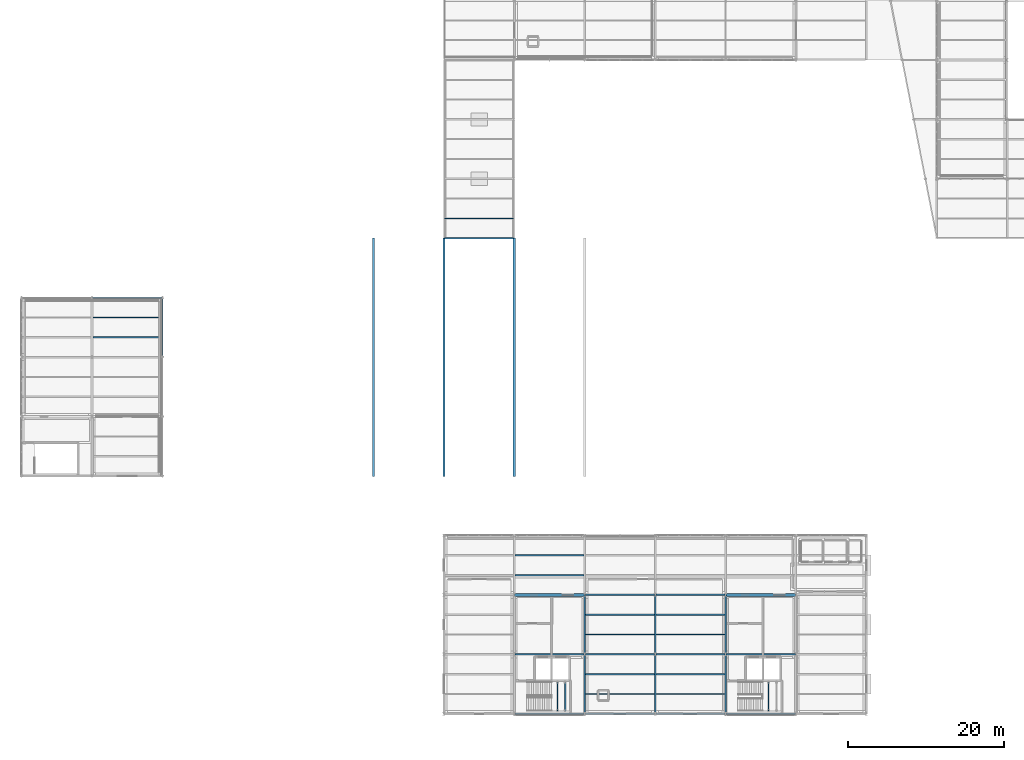
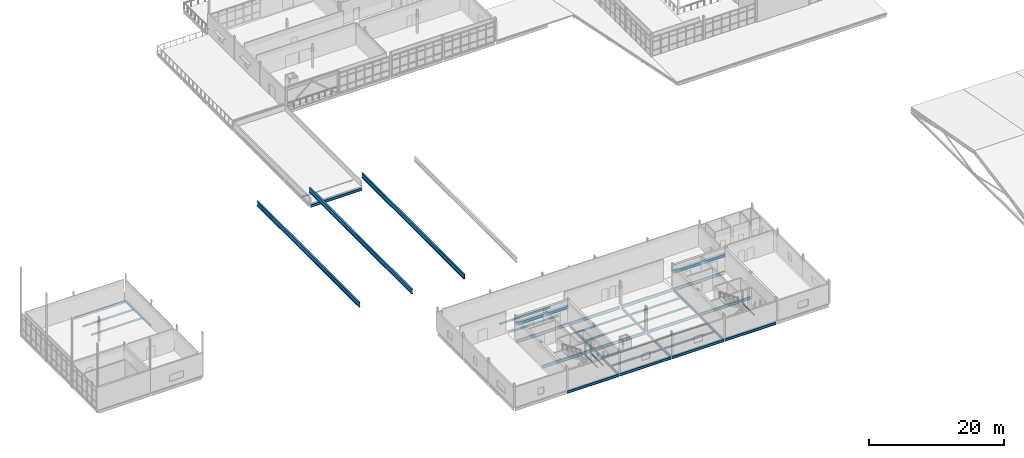
# One storey, part 23 of 96: 42 beams.
"""IFC4 building model written with IfcOpenShell, lengths in metres."""

import ifcopenshell
import ifcopenshell.guid

model = None  # the IFC model being written
_history = None  # IfcOwnerHistory: only IFC2X3 demands one
_inside = {}  # id of a spatial element -> (the spatial element, [elements in it])
_under = {}  # id of a project, library or spatial element -> (it, [spatial elements below it])
_declared = {}  # id of a project -> (the project, [libraries it declares])
_typed = {}  # id of a type object -> (the type object, [elements of that type])
_made_of = {}  # id of a material, layer set ... -> (it, [elements and type objects made of it])


def new_model(schema):
    """Start an empty IFC model of exactly this schema.

    Asked for "IFC4X3", IfcOpenShell would pick the latest addendum, in which some entities
    have other attributes; the version numbers below select the first issue.
    IFC2X3 requires an IfcOwnerHistory on every rooted entity: one is made here for all.
    """
    global model, _history
    if schema == "IFC4X3":
        model = ifcopenshell.file(schema_version=(4, 3, 0, 0))
    else:
        model = ifcopenshell.file(schema=schema)
    _inside.clear()
    _under.clear()
    _declared.clear()
    _typed.clear()
    _made_of.clear()
    _history = None
    if model.schema == "IFC2X3":
        org = make("IfcOrganization", Name="unknown")
        user = make(
            "IfcPersonAndOrganization",
            ThePerson=make("IfcPerson", FamilyName="unknown"),
            TheOrganization=org,
        )
        app = make(
            "IfcApplication",
            ApplicationDeveloper=org,
            Version="unknown",
            ApplicationFullName="unknown",
            ApplicationIdentifier="unknown",
        )
        _history = make(
            "IfcOwnerHistory",
            OwningUser=user,
            OwningApplication=app,
            ChangeAction="ADDED",
            CreationDate=0,
        )
    return model


def make(cls, **values):
    """One entity of the class cls with the attributes given. An attribute that is None is left unset."""
    return model.create_entity(
        cls, **{name: value for name, value in values.items() if value is not None}
    )


def rooted(cls, **values):
    """An entity with a GlobalId (a new one), such as an element, a storey or a relation."""
    return make(cls, GlobalId=ifcopenshell.guid.new(), OwnerHistory=_history, **values)


def si_unit(unit_type, name, prefix=None):
    """IfcSIUnit, for example si_unit("LENGTHUNIT", "METRE", prefix="MILLI")."""
    return make("IfcSIUnit", UnitType=unit_type, Prefix=prefix, Name=name)


def assignment(units):
    """IfcUnitAssignment: the units of a project."""
    return None if units is None else make("IfcUnitAssignment", Units=units)


def point(xyz):
    """IfcCartesianPoint."""
    return None if xyz is None else make("IfcCartesianPoint", Coordinates=xyz)


def direction(xyz):
    """IfcDirection."""
    return None if xyz is None else make("IfcDirection", DirectionRatios=xyz)


def frame(location, z_axis=None, x_axis=None):
    """IfcAxis2Placement3D, a coordinate frame: its origin and axes. An axis left out is left unset."""
    return make(
        "IfcAxis2Placement3D",
        Location=point(location),
        Axis=direction(z_axis),
        RefDirection=direction(x_axis),
    )


def frame_2d(location, x_axis=None):
    """IfcAxis2Placement2D, a coordinate frame in the plane: its origin and x axis."""
    return make(
        "IfcAxis2Placement2D", Location=point(location), RefDirection=direction(x_axis)
    )


def origin():
    """The frame at (0, 0, 0) with its axes left unset."""
    return frame((0.0, 0.0, 0.0))


def origin_2d():
    """The frame at (0, 0) in the plane with its x axis left unset."""
    return frame_2d((0.0, 0.0))


def place(relative_to, where):
    """IfcLocalPlacement: puts the frame where relative to a parent placement (None: the world)."""
    return make(
        "IfcLocalPlacement", PlacementRelTo=relative_to, RelativePlacement=where
    )


def context(
    kind, dimensions, precision=None, world=None, true_north=None, identifier=None
):
    """IfcGeometricRepresentationContext, for example the 3D "Model" context."""
    return make(
        "IfcGeometricRepresentationContext",
        ContextIdentifier=identifier,
        ContextType=kind,
        CoordinateSpaceDimension=dimensions,
        Precision=precision,
        WorldCoordinateSystem=world,
        TrueNorth=true_north,
    )


def subcontext(parent, identifier, kind, view, scale=None):
    """IfcGeometricRepresentationSubContext, for example "Body" below "Model"."""
    return make(
        "IfcGeometricRepresentationSubContext",
        ContextIdentifier=identifier,
        ContextType=kind,
        ParentContext=parent,
        TargetScale=scale,
        TargetView=view,
    )


def project(units=None, contexts=None):
    """IfcProject with its units and contexts."""
    return rooted(
        "IfcProject",
        Name="project",
        RepresentationContexts=contexts,
        UnitsInContext=assignment(units),
    )


def spatial(cls, under=None, at=None, **own):
    """A site, building, storey or space (cls), placed at a placement, below another one or the project."""
    s = rooted(cls, ObjectPlacement=at, **own)
    if under is not None:
        _under.setdefault(under.id(), (under, []))[1].append(s)
    return s


def profile(cls, at=None, kind="AREA", **sizes):
    """A parametric profile (cls). Its sizes go by their IFC names, for example OverallWidth=200.0."""
    return make(cls, ProfileType=kind, Position=at, **sizes)


def rectangle(**sizes):
    """IfcRectangleProfileDef."""
    return profile("IfcRectangleProfileDef", **sizes)


def hollow_rectangle(**sizes):
    """IfcRectangleHollowProfileDef."""
    return profile("IfcRectangleHollowProfileDef", **sizes)


def i_section(**sizes):
    """IfcIShapeProfileDef."""
    return profile("IfcIShapeProfileDef", **sizes)


def extrude(swept, where, along, depth):
    """IfcExtrudedAreaSolid: the profile swept, set in the frame where, extruded along a direction by depth."""
    return make(
        "IfcExtrudedAreaSolid",
        SweptArea=swept,
        Position=where,
        ExtrudedDirection=direction(along),
        Depth=depth,
    )


def shape(context_of_items, identifier, shape_type, items):
    """IfcShapeRepresentation: the items that make up one representation, for example the "Body"."""
    return make(
        "IfcShapeRepresentation",
        ContextOfItems=context_of_items,
        RepresentationIdentifier=identifier,
        RepresentationType=shape_type,
        Items=items,
    )


def material(Name=None, Category=None):
    """IfcMaterial."""
    return make("IfcMaterial", Name=Name, Category=Category)


def material_profile(
    of_material, cross_section, Name=None, Category=None, Priority=None
):
    """IfcMaterialProfile: a cross section and its material."""
    return make(
        "IfcMaterialProfile",
        Name=Name,
        Material=of_material,
        Profile=cross_section,
        Priority=Priority,
        Category=Category,
    )


def profile_set(profiles, Name=None, composite=None):
    """IfcMaterialProfileSet."""
    return make(
        "IfcMaterialProfileSet",
        Name=Name,
        MaterialProfiles=profiles,
        CompositeProfile=composite,
    )


def made_of(thing, what):
    """Note that an element or type object is made of a material, layer set ...; save() writes the relation."""
    if what is not None:
        _made_of.setdefault(what.id(), (what, []))[1].append(thing)
    return thing


def type_object(cls, material=None, **own):
    """A type object (cls), such as IfcWallType, which elements share."""
    return made_of(rooted(cls, **own), material)


def element(
    cls,
    number,
    at=None,
    inside=None,
    cuts=None,
    type_object=None,
    material=None,
    context=None,
    identifier="Body",
    shape_type=None,
    held_by="IfcProductDefinitionShape",
    body=None,
    shapes=None,
    **own,
):
    """One element of the class cls, such as IfcWall. Its Tag is "e" and its number.

    at: its placement. inside: the storey or other place that contains it. cuts: it is an
    opening in that element (IfcRelVoidsElement). A single representation is given by context,
    identifier, shape_type and body (its items); several are given by shapes. held_by: the class
    of the entity that holds the representations. save() writes the other relations.
    """
    e = rooted(cls, Tag="e%d" % number, ObjectPlacement=at, **own)
    if body is not None:
        shapes = [shape(context, identifier, shape_type, body)]
    if shapes is not None:
        e.Representation = make(held_by, Representations=shapes)
    if inside is not None:
        _inside.setdefault(inside.id(), (inside, []))[1].append(e)
    if cuts is not None:
        rooted(
            "IfcRelVoidsElement", RelatingBuildingElement=cuts, RelatedOpeningElement=e
        )
    if type_object is not None:
        _typed.setdefault(type_object.id(), (type_object, []))[1].append(e)
    return made_of(e, material)


def aggregate(whole, parts):
    """IfcRelAggregates: a whole, such as a stair, and the parts it consists of."""
    return rooted("IfcRelAggregates", RelatingObject=whole, RelatedObjects=parts)


def save(model, path):
    """Write the relations noted so far, then the file.

    IfcRelAggregates (storeys below a building ...), IfcRelContainedInSpatialStructure (elements
    in a storey), IfcRelDefinesByType, IfcRelAssociatesMaterial and IfcRelDeclares: one each for
    every whole, place, type object, material and project.
    """
    for whole, parts in _under.values():
        aggregate(whole, parts)
    for where, things in _inside.values():
        rooted(
            "IfcRelContainedInSpatialStructure",
            RelatedElements=things,
            RelatingStructure=where,
        )
    for kind, things in _typed.values():
        rooted("IfcRelDefinesByType", RelatedObjects=things, RelatingType=kind)
    for what, things in _made_of.values():
        rooted("IfcRelAssociatesMaterial", RelatedObjects=things, RelatingMaterial=what)
    for by, libraries in _declared.values():
        rooted("IfcRelDeclares", RelatingContext=by, RelatedDefinitions=libraries)
    model.write(path)


model = new_model("IFC4")

# Units and contexts
model_context = context("Model", 3, precision=1e-05, world=origin(), true_north=direction((0.0, 1.0)))
body_context = subcontext(model_context, "Body", "Model", "MODEL_VIEW")
ifc_project = project(units=[si_unit("LENGTHUNIT", "METRE"), si_unit("AREAUNIT", "SQUARE_METRE"), si_unit("VOLUMEUNIT", "CUBIC_METRE"), si_unit("PLANEANGLEUNIT", "RADIAN"), si_unit("MASSUNIT", "GRAM", prefix="KILO")], contexts=[model_context])

# Site, building, storey
site_placement = place(None, origin())
site = spatial("IfcSite", under=ifc_project, at=site_placement, CompositionType="ELEMENT")
building_placement = place(site_placement, origin())
building = spatial("IfcBuilding", under=site, at=building_placement, Name="Caisbarro Railhouse Central Library", CompositionType="ELEMENT")
storey_placement = place(building_placement, frame((0.0, 0.0, 13.679931640625)))
storey = spatial("IfcBuildingStorey", under=building, at=storey_placement, Name="L03", CompositionType="ELEMENT", Elevation=13.679931640625)

# Beams
ifc_material_1 = material(Name="Steel ASTM A572 Grade 50", Category="steel")
ifc_material_profile_1 = material_profile(ifc_material_1, i_section(OverallWidth=0.2939453125, OverallDepth=0.85107421875, WebThickness=0.01611328125, FlangeThickness=0.02685546875, FilletRadius=0.02392578125, at=origin_2d()), Name="W840X226.0")
ifc_profile_set_1 = profile_set([ifc_material_profile_1], Name="Steel ASTM A572 Grade 50")
beam_type_1 = type_object("IfcBeamType", Name="BM-G01", PredefinedType="BEAM", material=ifc_profile_set_1)
for number, where, z_axis, x_axis, name in (
    (1, (45.0, 30.35009765625, 3.301513671875), (0.0, 1.0, 0.0), (-1.0, 0.0, 0.0), "V1 Stepped Transverse Gridshell Girder X=45"),
    (2, (54.0, 30.35009765625, 2.551513671875), (0.0, 1.0, 0.0), (-1.0, 0.0, 0.0), "V1 Stepped Transverse Gridshell Girder X=54"),
    (3, (63.0, 30.35009765625, 2.1015625), (0.0, 1.0, 0.0), (-1.0, 0.0, 0.0), "V1 Stepped Transverse Gridshell Girder X=63"),
):
    element("IfcBeam", number, at=place(storey_placement, frame(where, z_axis=z_axis, x_axis=x_axis)), inside=storey, type_object=beam_type_1, Name=name, PredefinedType="BEAM", context=body_context, shape_type="SweptSolid", body=[
        extrude(i_section(OverallWidth=0.2939453125, OverallDepth=0.85107421875, WebThickness=0.01611328125, FlangeThickness=0.02685546875, FilletRadius=0.02392578125, at=origin_2d()), origin(), (0.0, 0.0, 1.0), 30.5),
    ])
ifc_material_profile_2 = material_profile(ifc_material_1, i_section(OverallWidth=0.2119140625, OverallDepth=0.5439453125, WebThickness=0.01318359375, FlangeThickness=0.021240234375, FilletRadius=0.02001953125, at=origin_2d()), Name="W530X123.0")
ifc_profile_set_2 = profile_set([ifc_material_profile_2], Name="Steel ASTM A572 Grade 50")
beam_type_2 = type_object("IfcBeamType", Name="BM-G05", PredefinedType="BEAM", material=ifc_profile_set_2)
for number, where, z_axis, x_axis, name in (
    (4, (63.080078125, 7.60009765625, -0.511962890625), (1.0, 0.0, 0.0), (0.0, 1.0, 0.0), "G05 beam L03 #1762"),
    (5, (72.080078125, 7.60009765625, -0.511962890625), (1.0, 0.0, 0.0), (0.0, 1.0, 0.0), "G05 beam L03 #1763"),
    (6, (81.080078125, 7.60009765625, -0.511962890625), (1.0, 0.0, 0.0), (0.0, 1.0, 0.0), "G05 beam L03 #1764"),
    (7, (90.080078125, 7.60009765625, -0.511962890625), (1.0, 0.0, 0.0), (0.0, 1.0, 0.0), "G05 beam L03 #1765"),
    (8, (63.080078125, 15.199951171875, -0.511962890625), (1.0, 0.0, 0.0), (0.0, 1.0, 0.0), "G05 beam L03 #1768"),
    (9, (72.080078125, 15.199951171875, -0.511962890625), (1.0, 0.0, 0.0), (0.0, 1.0, 0.0), "G05 beam L03 #1769"),
    (10, (81.080078125, 15.199951171875, -0.511962890625), (1.0, 0.0, 0.0), (0.0, 1.0, 0.0), "G05 beam L03 #1770"),
    (11, (90.080078125, 15.199951171875, -0.511962890625), (1.0, 0.0, 0.0), (0.0, 1.0, 0.0), "G05 beam L03 #1771"),
):
    element("IfcBeam", number, at=place(storey_placement, frame(where, z_axis=z_axis, x_axis=x_axis)), inside=storey, type_object=beam_type_2, Name=name, PredefinedType="BEAM", context=body_context, shape_type="SweptSolid", body=[
        extrude(i_section(OverallWidth=0.2119140625, OverallDepth=0.5439453125, WebThickness=0.01318359375, FlangeThickness=0.021240234375, FilletRadius=0.02001953125, at=origin_2d()), origin(), (0.0, 0.0, 1.0), 8.83984375),
    ])
ifc_material_profile_3 = material_profile(ifc_material_1, i_section(OverallWidth=0.194091796875, OverallDepth=0.468994140625, WebThickness=0.0126953125, FlangeThickness=0.0205078125, FilletRadius=0.01806640625, at=origin_2d()), Name="W460X106.0")
ifc_profile_set_3 = profile_set([ifc_material_profile_3], Name="Steel ASTM A572 Grade 50")
beam_type_3 = type_object("IfcBeamType", Name="BM-G07", PredefinedType="BEAM", material=ifc_profile_set_3)
beam_1_placement = place(storey_placement, frame((72.0, 0.080078125, -0.474365234375), z_axis=(0.0, 1.0, 0.0), x_axis=(-1.0, 0.0, 0.0)))
element("IfcBeam", 12, at=beam_1_placement, inside=storey, type_object=beam_type_3, Name="G07 beam L03 #1785", PredefinedType="BEAM", context=body_context, shape_type="SweptSolid", body=[
    extrude(i_section(OverallWidth=0.194091796875, OverallDepth=0.468994140625, WebThickness=0.0126953125, FlangeThickness=0.0205078125, FilletRadius=0.01806640625, at=origin_2d()), origin(), (0.0, 0.0, 1.0), 7.43994140625),
])
beam_2_placement = place(storey_placement, frame((72.0, 7.679931640625, -0.474365234375), z_axis=(0.0, 1.0, 0.0), x_axis=(-1.0, 0.0, 0.0)))
element("IfcBeam", 13, at=beam_2_placement, inside=storey, type_object=beam_type_3, Name="G07 beam L03 #1786", PredefinedType="BEAM", context=body_context, shape_type="SweptSolid", body=[
    extrude(i_section(OverallWidth=0.194091796875, OverallDepth=0.468994140625, WebThickness=0.0126953125, FlangeThickness=0.0205078125, FilletRadius=0.01806640625, at=origin_2d()), origin(), (0.0, 0.0, 1.0), 7.440185546875),
])
beam_3_placement = place(storey_placement, frame((81.0, 0.080078125, -0.474365234375), z_axis=(0.0, 1.0, 0.0), x_axis=(-1.0, 0.0, 0.0)))
element("IfcBeam", 14, at=beam_3_placement, inside=storey, type_object=beam_type_3, Name="G07 beam L03 #1788", PredefinedType="BEAM", context=body_context, shape_type="SweptSolid", body=[
    extrude(i_section(OverallWidth=0.194091796875, OverallDepth=0.468994140625, WebThickness=0.0126953125, FlangeThickness=0.0205078125, FilletRadius=0.01806640625, at=origin_2d()), origin(), (0.0, 0.0, 1.0), 7.43994140625),
])
beam_4_placement = place(storey_placement, frame((81.0, 7.679931640625, -0.474365234375), z_axis=(0.0, 1.0, 0.0), x_axis=(-1.0, 0.0, 0.0)))
element("IfcBeam", 15, at=beam_4_placement, inside=storey, type_object=beam_type_3, Name="G07 beam L03 #1789", PredefinedType="BEAM", context=body_context, shape_type="SweptSolid", body=[
    extrude(i_section(OverallWidth=0.194091796875, OverallDepth=0.468994140625, WebThickness=0.0126953125, FlangeThickness=0.0205078125, FilletRadius=0.01806640625, at=origin_2d()), origin(), (0.0, 0.0, 1.0), 7.440185546875),
])
beam_5_placement = place(storey_placement, frame((90.0, 0.080078125, -0.474365234375), z_axis=(0.0, 1.0, 0.0), x_axis=(-1.0, 0.0, 0.0)))
element("IfcBeam", 16, at=beam_5_placement, inside=storey, type_object=beam_type_3, Name="G07 beam L03 #1791", PredefinedType="BEAM", context=body_context, shape_type="SweptSolid", body=[
    extrude(i_section(OverallWidth=0.194091796875, OverallDepth=0.468994140625, WebThickness=0.0126953125, FlangeThickness=0.0205078125, FilletRadius=0.01806640625, at=origin_2d()), origin(), (0.0, 0.0, 1.0), 7.43994140625),
])
beam_6_placement = place(storey_placement, frame((90.0, 7.679931640625, -0.474365234375), z_axis=(0.0, 1.0, 0.0), x_axis=(-1.0, 0.0, 0.0)))
element("IfcBeam", 17, at=beam_6_placement, inside=storey, type_object=beam_type_3, Name="G07 beam L03 #1792", PredefinedType="BEAM", context=body_context, shape_type="SweptSolid", body=[
    extrude(i_section(OverallWidth=0.194091796875, OverallDepth=0.468994140625, WebThickness=0.0126953125, FlangeThickness=0.0205078125, FilletRadius=0.01806640625, at=origin_2d()), origin(), (0.0, 0.0, 1.0), 7.440185546875),
])
ifc_material_profile_4 = material_profile(ifc_material_1, i_section(OverallWidth=0.1669921875, OverallDepth=0.31689453125, WebThickness=0.007568359375, FlangeThickness=0.01318359375, FilletRadius=0.011962890625, at=origin_2d()), Name="W310X52.0")
ifc_profile_set_4 = profile_set([ifc_material_profile_4], Name="Steel ASTM A572 Grade 50")
beam_type_4 = type_object("IfcBeamType", Name="BM-J02", PredefinedType="JOIST", material=ifc_profile_set_4)
for number, where, z_axis, x_axis, name in (
    (18, (63.096923828125, 17.7333984375, -0.3984375), (1.0, 0.0, 0.0), (0.0, 1.0, 0.0), "J02 beam L03 #1806"),
    (19, (63.096923828125, 20.2666015625, -0.3984375), (1.0, 0.0, 0.0), (0.0, 1.0, 0.0), "J02 beam L03 #1807"),
    (20, (72.096923828125, 2.533203125, -0.3984375), (1.0, 0.0, 0.0), (0.0, 1.0, 0.0), "J02 beam L03 #1808"),
    (21, (72.096923828125, 5.066650390625, -0.3984375), (1.0, 0.0, 0.0), (0.0, 1.0, 0.0), "J02 beam L03 #1809"),
    (22, (72.096923828125, 10.13330078125, -0.3984375), (1.0, 0.0, 0.0), (0.0, 1.0, 0.0), "J02 beam L03 #1810"),
    (23, (72.096923828125, 12.666748046875, -0.3984375), (1.0, 0.0, 0.0), (0.0, 1.0, 0.0), "J02 beam L03 #1811"),
    (24, (81.096923828125, 2.533203125, -0.3984375), (1.0, 0.0, 0.0), (0.0, 1.0, 0.0), "J02 beam L03 #1814"),
    (25, (81.096923828125, 5.066650390625, -0.3984375), (1.0, 0.0, 0.0), (0.0, 1.0, 0.0), "J02 beam L03 #1815"),
    (26, (81.096923828125, 10.13330078125, -0.3984375), (1.0, 0.0, 0.0), (0.0, 1.0, 0.0), "J02 beam L03 #1816"),
    (27, (81.096923828125, 12.666748046875, -0.3984375), (1.0, 0.0, 0.0), (0.0, 1.0, 0.0), "J02 beam L03 #1817"),
):
    element("IfcBeam", number, at=place(storey_placement, frame(where, z_axis=z_axis, x_axis=x_axis)), inside=storey, type_object=beam_type_4, Name=name, PredefinedType="JOIST", context=body_context, shape_type="SweptSolid", body=[
        extrude(i_section(OverallWidth=0.1669921875, OverallDepth=0.31689453125, WebThickness=0.007568359375, FlangeThickness=0.01318359375, FilletRadius=0.011962890625, at=origin_2d()), origin(), (0.0, 0.0, 1.0), 8.80615234375),
    ])
ifc_material_profile_5 = material_profile(ifc_material_1, i_section(OverallWidth=0.1650390625, OverallDepth=0.31005859375, WebThickness=0.005859375, FlangeThickness=0.009765625, FilletRadius=0.011962890625, at=origin_2d()), Name="W310X38.7")
ifc_profile_set_5 = profile_set([ifc_material_profile_5], Name="Steel ASTM A572 Grade 50")
beam_type_5 = type_object("IfcBeamType", Name="BM-J03", PredefinedType="JOIST", material=ifc_profile_set_5)
for number, where, z_axis, x_axis, name in (
    (28, (9.1044921875, 48.13330078125, -0.375), (1.0, 0.0, 0.0), (0.0, 1.0, 0.0), "J03 beam L03 #1853"),
    (29, (9.1044921875, 50.666748046875, -0.375), (1.0, 0.0, 0.0), (0.0, 1.0, 0.0), "J03 beam L03 #1854"),
):
    element("IfcBeam", number, at=place(storey_placement, frame(where, z_axis=z_axis, x_axis=x_axis)), inside=storey, type_object=beam_type_5, Name=name, PredefinedType="JOIST", context=body_context, shape_type="SweptSolid", body=[
        extrude(i_section(OverallWidth=0.1650390625, OverallDepth=0.31005859375, WebThickness=0.005859375, FlangeThickness=0.009765625, FilletRadius=0.011962890625, at=origin_2d()), origin(), (0.0, 0.0, 1.0), 8.79541015625),
    ])
ifc_material_profile_6 = material_profile(ifc_material_1, i_section(OverallWidth=0.133056640625, OverallDepth=0.20703125, WebThickness=0.005859375, FlangeThickness=0.00830078125, FilletRadius=0.010009765625, at=origin_2d()), Name="W200X26.6")
ifc_profile_set_6 = profile_set([ifc_material_profile_6], Name="Steel ASTM A572 Grade 50")
beam_type_6 = type_object("IfcBeamType", Name="BM-J07", PredefinedType="JOIST", material=ifc_profile_set_6)
beam_7_placement = place(storey_placement, frame((54.089111328125, 63.333251953125, -0.283447265625), z_axis=(1.0, 0.0, 0.0), x_axis=(0.0, 1.0, 0.0)))
element("IfcBeam", 30, at=beam_7_placement, inside=storey, type_object=beam_type_6, Name="J07 beam L03 #2327", PredefinedType="JOIST", context=body_context, shape_type="SweptSolid", body=[
    extrude(i_section(OverallWidth=0.133056640625, OverallDepth=0.20703125, WebThickness=0.005859375, FlangeThickness=0.00830078125, FilletRadius=0.010009765625, at=origin_2d()), origin(), (0.0, 0.0, 1.0), 8.82177734375),
])
ifc_material_2 = material(Name="Concrete C40", Category="concrete")
ifc_material_profile_7 = material_profile(ifc_material_2, rectangle(XDim=0.35009765625, YDim=0.550048828125, at=origin_2d()), Name="RC-LIN-350X550")
ifc_profile_set_7 = profile_set([ifc_material_profile_7], Name="Concrete C40")
beam_type_7 = type_object("IfcBeamType", Name="BM-LN01", PredefinedType="LINTEL", material=ifc_profile_set_7)
for number, where, z_axis, x_axis, name in (
    (31, (63.050048828125, 15.199951171875, 2.72509765625), (1.0, 0.0, 0.0), (0.0, 1.0, 0.0), "LN01 RC core coupling lintel K1 L03"),
    (32, (90.050048828125, 15.199951171875, 2.72509765625), (1.0, 0.0, 0.0), (0.0, 1.0, 0.0), "LN01 RC core coupling lintel K2 L03"),
):
    element("IfcBeam", number, at=place(storey_placement, frame(where, z_axis=z_axis, x_axis=x_axis)), inside=storey, type_object=beam_type_7, Name=name, PredefinedType="LINTEL", context=body_context, shape_type="SweptSolid", body=[
        extrude(rectangle(XDim=0.35009765625, YDim=0.550048828125, at=origin_2d()), origin(), (0.0, 0.0, 1.0), 8.89990234375),
    ])
ifc_material_profile_8 = material_profile(ifc_material_1, i_section(OverallWidth=0.152099609375, OverallDepth=0.152099609375, WebThickness=0.005859375, FlangeThickness=0.006591796875, FilletRadius=0.008056640625, at=origin_2d()), Name="W150X22.5")
ifc_profile_set_8 = profile_set([ifc_material_profile_8], Name="Steel ASTM A572 Grade 50")
beam_type_8 = type_object("IfcBeamType", Name="BM-SL03", PredefinedType="BEAM", material=ifc_profile_set_8)
for number, where, z_axis, x_axis, name in (
    (33, (68.5, 0.3798828125, 1.89404296875), (0.0, 1.0, 0.0), (-1.0, 0.0, 0.0), "SL03 Stair Landing Support Beam K1 L03 W"),
    (34, (69.5, 0.3798828125, 1.89404296875), (0.0, 1.0, 0.0), (-1.0, 0.0, 0.0), "SL03 Stair Landing Support Beam K1 L03 E"),
    (35, (95.5, 0.3798828125, 1.89404296875), (0.0, 1.0, 0.0), (-1.0, 0.0, 0.0), "SL03 Stair Landing Support Beam K2 L03 W"),
):
    element("IfcBeam", number, at=place(storey_placement, frame(where, z_axis=z_axis, x_axis=x_axis)), inside=storey, type_object=beam_type_8, Name=name, PredefinedType="BEAM", context=body_context, shape_type="SweptSolid", body=[
        extrude(i_section(OverallWidth=0.152099609375, OverallDepth=0.152099609375, WebThickness=0.005859375, FlangeThickness=0.006591796875, FilletRadius=0.008056640625, at=origin_2d()), origin(), (0.0, 0.0, 1.0), 3.690185546875),
    ])
ifc_material_profile_9 = material_profile(ifc_material_1, i_section(OverallWidth=0.18994140625, OverallDepth=0.45703125, WebThickness=0.009033203125, FlangeThickness=0.014404296875, FilletRadius=0.01806640625, at=origin_2d()), Name="W460X74.0")
ifc_profile_set_9 = profile_set([ifc_material_profile_9], Name="Steel ASTM A572 Grade 50")
beam_type_9 = type_object("IfcBeamType", Name="BM-SP01", PredefinedType="SPANDREL", material=ifc_profile_set_9)
for number, where, z_axis, x_axis, name in (
    (36, (63.080078125, 0.0, -0.468505859375), (1.0, 0.0, 0.0), (0.0, 1.0, 0.0), "SP01 beam L03 #1756"),
    (37, (72.080078125, 0.0, -0.468505859375), (1.0, 0.0, 0.0), (0.0, 1.0, 0.0), "SP01 beam L03 #1757"),
    (38, (81.080078125, 0.0, -0.468505859375), (1.0, 0.0, 0.0), (0.0, 1.0, 0.0), "SP01 beam L03 #1758"),
    (39, (90.080078125, 0.0, -0.468505859375), (1.0, 0.0, 0.0), (0.0, 1.0, 0.0), "SP01 beam L03 #1759"),
    (40, (9.080078125, 53.199951171875, -0.448486328125), (1.0, 0.0, 0.0), (0.0, 1.0, 0.0), "SP01 beam L03 #1835"),
    (41, (54.080078125, 60.800048828125, -0.408447265625), (1.0, 0.0, 0.0), (0.0, 1.0, 0.0), "SP01 beam L03 #2318"),
):
    element("IfcBeam", number, at=place(storey_placement, frame(where, z_axis=z_axis, x_axis=x_axis)), inside=storey, type_object=beam_type_9, Name=name, PredefinedType="SPANDREL", context=body_context, shape_type="SweptSolid", body=[
        extrude(i_section(OverallWidth=0.18994140625, OverallDepth=0.45703125, WebThickness=0.009033203125, FlangeThickness=0.014404296875, FilletRadius=0.01806640625, at=origin_2d()), origin(), (0.0, 0.0, 1.0), 8.83984375),
    ])
ifc_material_profile_10 = material_profile(ifc_material_1, hollow_rectangle(XDim=0.199951171875, YDim=0.300048828125, WallThickness=0.012451171875, at=origin_2d()), Name="HSS300X200X12.5")
ifc_profile_set_10 = profile_set([ifc_material_profile_10], Name="Steel ASTM A572 Grade 50")
beam_type_10 = type_object("IfcBeamType", Name="BM-SP02", PredefinedType="SPANDREL", material=ifc_profile_set_10)
beam_8_placement = place(storey_placement, frame((18.0, 45.679931640625, -0.369873046875), z_axis=(0.0, 1.0, 0.0), x_axis=(-1.0, 0.0, 0.0)))
element("IfcBeam", 42, at=beam_8_placement, inside=storey, type_object=beam_type_10, Name="SP02 beam L03 #1844", PredefinedType="SPANDREL", context=body_context, shape_type="SweptSolid", body=[
    extrude(hollow_rectangle(XDim=0.199951171875, YDim=0.300048828125, WallThickness=0.012451171875, at=origin_2d()), origin(), (0.0, 0.0, 1.0), 7.440185546875),
])

save(model, "model.ifc")
